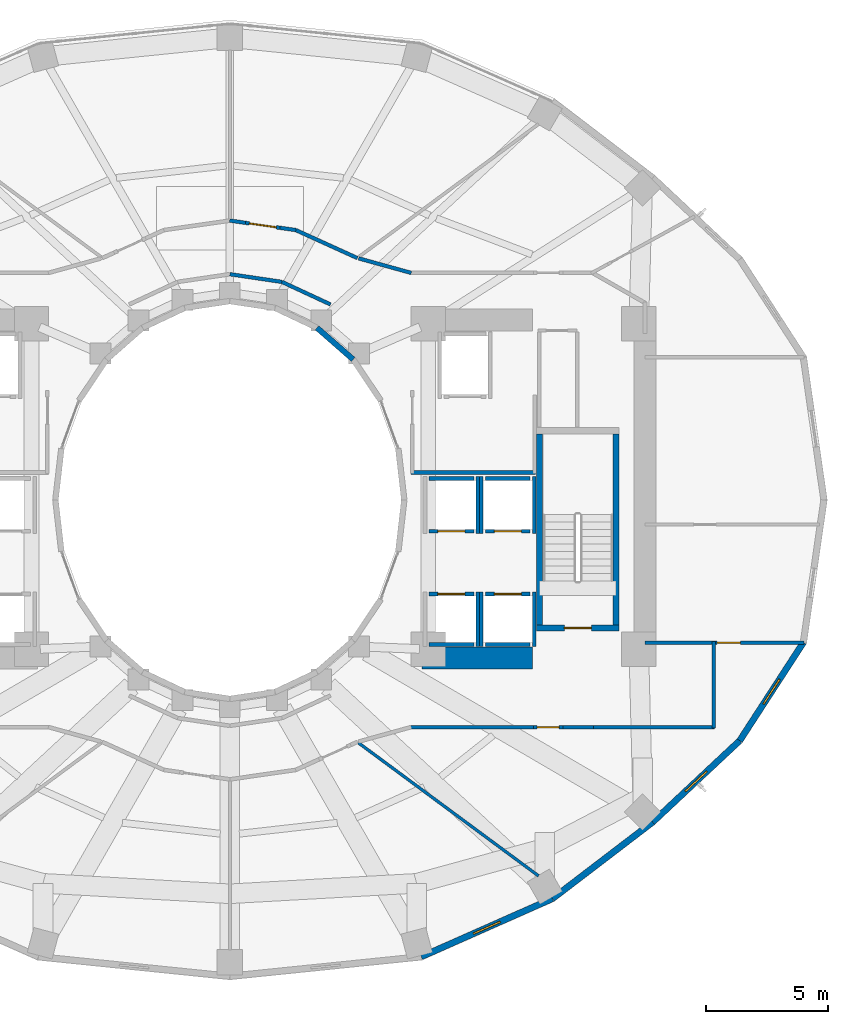
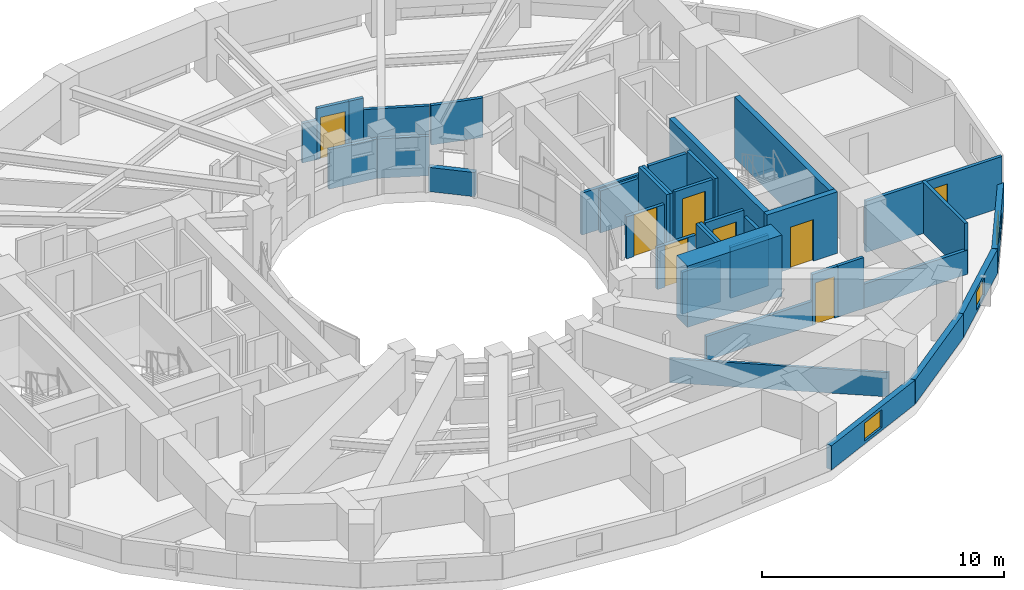
# One storey, part 14 of 19: 38 walls, 8 doors, 3 windows, 11 openings.
"""IFC4 building model written with IfcOpenShell, lengths in metres."""

from ifc_helpers import new_model, si_unit, direction, frame, frame_2d, origin, place, context, subcontext, project, spatial, rectangle, extrude, material, layer, layer_set, type_object, element, fill, save


model = new_model("IFC4")

# Units and contexts
model_context = context("Model", 3, precision=1e-05, world=origin(), true_north=direction((0.0, 1.0)))
body_context = subcontext(model_context, "Body", "Model", "MODEL_VIEW")
ifc_project = project(units=[si_unit("LENGTHUNIT", "METRE"), si_unit("AREAUNIT", "SQUARE_METRE"), si_unit("VOLUMEUNIT", "CUBIC_METRE"), si_unit("PLANEANGLEUNIT", "RADIAN"), si_unit("MASSUNIT", "GRAM", prefix="KILO")], contexts=[model_context])

# Site, building, storey
site_placement = place(None, origin())
site = spatial("IfcSite", under=ifc_project, at=site_placement, CompositionType="ELEMENT")
building_placement = place(site_placement, origin())
building = spatial("IfcBuilding", under=site, at=building_placement, Name="Solvane Sanctuary Tower", CompositionType="ELEMENT")
storey_placement = place(building_placement, frame((0.0, 0.0, 73.199951171875)))
storey = spatial("IfcBuildingStorey", under=building, at=storey_placement, Name="L21", CompositionType="ELEMENT", Elevation=73.199951171875)

# Walls
ifc_material_1 = material(Name="Concrete C70/85", Category="concrete")
ifc_layer_1 = layer(ifc_material_1, 0.89990234375, Name="Concrete C70/85")
ifc_layer_set_1 = layer_set([ifc_layer_1], Name="Concrete C70/85")
wall_type_1 = type_object("IfcWallType", Name="Wall W-CORE-900", PredefinedType="SHEAR", material=ifc_layer_set_1)
wall_1_placement = place(storey_placement, frame((39.85009765625, 16.550048828125, 0.0), z_axis=(0.0, 0.0, 1.0), x_axis=(1.0, 0.0, 0.0)))
element("IfcWall", 1, at=wall_1_placement, inside=storey, type_object=wall_type_1, Name="L21 Core Shear Wall EC-S", PredefinedType="SHEAR", context=body_context, shape_type="SweptSolid", body=[
    extrude(rectangle(XDim=4.5, YDim=0.89990234375, at=frame_2d((2.25, 0.0))), origin(), (0.0, 0.0, 1.0), 3.10009765625),
])
ifc_material_2 = material(Name="Acoustic Gypsum Partition Board")
ifc_layer_2 = layer(ifc_material_2, 0.14990234375, Name="Acoustic Gypsum Partition Board")
ifc_layer_set_2 = layer_set([ifc_layer_2], Name="Acoustic Gypsum Partition Board")
wall_type_2 = type_object("IfcWallType", Name="Wall W-CORR-150", PredefinedType="PARTITIONING", material=ifc_layer_set_2)
wall_2_placement = place(storey_placement, frame((39.39990234375, 24.1201171875, 0.0), z_axis=(0.0, 0.0, 1.0), x_axis=(1.0, 0.0, 0.0)))
element("IfcWall", 2, at=wall_2_placement, inside=storey, type_object=wall_type_2, Name="L21 East Firefighting Lobby South Wall", PredefinedType="PARTITIONING", context=body_context, shape_type="SweptSolid", body=[
    extrude(rectangle(XDim=5.080078125, YDim=0.14990234375, at=frame_2d((2.5400390625, 0.0))), origin(), (0.0, 0.0, 1.0), 2.1201171875),
])
wall_3_placement = place(storey_placement, frame((36.110107421875, 30.98486328125, 0.0), z_axis=(0.0, 0.0, 1.0), x_axis=(-0.906943449489, 0.421252393975, 0.0)))
element("IfcWall", 3, at=wall_3_placement, inside=storey, type_object=wall_type_2, Name="L21 Light-Well Corridor Rim Wall N1", PredefinedType="PARTITIONING", context=body_context, shape_type="SweptSolid", body=[
    extrude(rectangle(XDim=2.18603515625, YDim=0.14990234375, at=frame_2d((1.093017578125, 0.0))), origin(), (0.0, 0.0, 1.0), 1.991943359375),
])
wall_4_placement = place(storey_placement, frame((34.12744140625, 31.90576171875, 0.0), z_axis=(0.0, 0.0, 1.0), x_axis=(-0.989268584896, 0.146108408166, 0.0)))
element("IfcWall", 4, at=wall_4_placement, inside=storey, type_object=wall_type_2, Name="L21 Light-Well Corridor Rim Wall N2", PredefinedType="PARTITIONING", context=body_context, shape_type="SweptSolid", body=[
    extrude(rectangle(XDim=2.150634765625, YDim=0.14990234375, at=frame_2d((1.0751953125, 0.0))), origin(), (0.0, 0.0, 1.0), 1.991943359375),
])

# Wall, opening, door
wall_5_placement = place(storey_placement, frame((48.949951171875, 17.1748046875, 0.0), z_axis=(0.0, 0.0, 1.0), x_axis=(1.0, 0.0, 0.0)))
wall_5 = element("IfcWall", 5, at=wall_5_placement, inside=storey, type_object=wall_type_2, Name="L21 East Shoulder South Wall", PredefinedType="PARTITIONING", context=body_context, shape_type="SweptSolid", body=[
    extrude(rectangle(XDim=6.49169921875, YDim=0.14990234375, at=frame_2d((3.245849609375, 0.0))), origin(), (0.0, 0.0, 1.0), 2.574951171875),
])
opening_1_placement = place(wall_5_placement, frame((2.947509765625, 0.0, 0.0)))
opening_1 = element("IfcOpeningElement", 6, at=opening_1_placement, cuts=wall_5, Name="Opening D-L21-08", PredefinedType="OPENING", context=body_context, shape_type="SweptSolid", body=[
    extrude(rectangle(XDim=0.949951171875, YDim=2.10009765625, at=frame_2d((0.47509765625, 1.050048828125))), frame((0.0, 0.0849609375, 0.0), z_axis=(0.0, -1.0, 0.0), x_axis=(1.0, 0.0, 0.0)), (0.0, 0.0, 1.0), 0.169921875),
])
ifc_material_3 = material(Name="Engineered Tropical Hardwood", Category="wood")
door_type_1 = type_object("IfcDoorType", Name="Door D-ROOM-950", OperationType="NOTDEFINED", PredefinedType="DOOR", material=ifc_material_3)
door_1_placement = place(opening_1_placement, origin())
door_1 = element("IfcDoor", 7, at=door_1_placement, inside=storey, type_object=door_type_1, Name="L21 East Shoulder South Door", OperationType="SINGLE_SWING_LEFT", OverallHeight=2.10009765625, OverallWidth=0.949951171875, PredefinedType="DOOR", context=body_context, shape_type="SweptSolid", body=[
    extrude(rectangle(XDim=0.949951171875, YDim=2.10009765625, at=frame_2d((0.47509765625, 1.050048828125))), frame((0.0, 0.02490234375, 0.0), z_axis=(0.0, -1.0, 0.0), x_axis=(1.0, 0.0, 0.0)), (0.0, 0.0, 1.0), 0.050048828125),
])
fill(opening_1, door_1)

# Walls
wall_6_placement = place(storey_placement, frame((37.258056640625, 32.86669921875, 0.0), z_axis=(0.0, 0.0, 1.0), x_axis=(0.963833843713, -0.266503886865, 0.0)))
element("IfcWall", 8, at=wall_6_placement, inside=storey, type_object=wall_type_2, Name="L21 NE Corner Throat Wall", PredefinedType="PARTITIONING", context=body_context, shape_type="SweptSolid", body=[
    extrude(rectangle(XDim=2.231689453125, YDim=0.14990234375, at=frame_2d((1.11572265625, 0.0))), origin(), (0.0, 0.0, 1.0), 1.991943359375),
])
wall_7_placement = place(storey_placement, frame((51.760009765625, 13.679931640625, 0.0), z_axis=(0.0, 0.0, 1.0), x_axis=(0.0, 1.0, 0.0)))
element("IfcWall", 9, at=wall_7_placement, inside=storey, type_object=wall_type_2, Name="L21 SE Corner Closer 1", PredefinedType="PARTITIONING", context=body_context, shape_type="SweptSolid", body=[
    extrude(rectangle(XDim=3.534912109375, YDim=0.14990234375, at=frame_2d((1.767578125, 0.0))), origin(), (0.0, 0.0, 1.0), 2.574951171875),
])
wall_8_placement = place(storey_placement, frame((39.330078125, 13.719970703125, 0.0), z_axis=(0.0, 0.0, 1.0), x_axis=(1.0, 0.0, 0.0)))
element("IfcWall", 10, at=wall_8_placement, inside=storey, type_object=wall_type_2, Name="L21 SE Corner Corridor Wall", PredefinedType="PARTITIONING", context=body_context, shape_type="SweptSolid", body=[
    extrude(rectangle(XDim=5.059814453125, YDim=0.14990234375, at=frame_2d((2.52978515625, 0.0))), origin(), (0.0, 0.0, 1.0), 1.219970703125),
])

# Wall, opening, door
wall_9_placement = place(storey_placement, frame((44.389892578125, 13.719970703125, 0.0), z_axis=(0.0, 0.0, 1.0), x_axis=(1.0, 0.0, 0.0)))
wall_9 = element("IfcWall", 11, at=wall_9_placement, inside=storey, type_object=wall_type_2, Name="L21 SE Corner Corridor Wall", PredefinedType="PARTITIONING", context=body_context, shape_type="SweptSolid", body=[
    extrude(rectangle(XDim=1.22021484375, YDim=0.14990234375, at=frame_2d((0.610107421875, 0.0))), origin(), (0.0, 0.0, 1.0), 2.574951171875),
])
opening_2_placement = place(wall_9_placement, frame((0.159912109375, 0.0, 0.0)))
opening_2 = element("IfcOpeningElement", 12, at=opening_2_placement, cuts=wall_9, Name="Opening D-L21-15", PredefinedType="OPENING", context=body_context, shape_type="SweptSolid", body=[
    extrude(rectangle(XDim=0.89990234375, YDim=2.10009765625, at=frame_2d((0.449951171875, 1.050048828125))), frame((0.0, 0.0849609375, 0.0), z_axis=(0.0, -1.0, 0.0), x_axis=(1.0, 0.0, 0.0)), (0.0, 0.0, 1.0), 0.169921875),
])
door_type_2 = type_object("IfcDoorType", Name="Door D-WET-900", OperationType="NOTDEFINED", PredefinedType="DOOR", material=ifc_material_3)
door_2_placement = place(opening_2_placement, origin())
door_2 = element("IfcDoor", 13, at=door_2_placement, inside=storey, type_object=door_type_2, Name="L21 SE Corner Salon Door", OperationType="SINGLE_SWING_RIGHT", OverallHeight=2.10009765625, OverallWidth=0.89990234375, PredefinedType="DOOR", context=body_context, shape_type="SweptSolid", body=[
    extrude(rectangle(XDim=0.89990234375, YDim=2.10009765625, at=frame_2d((0.449951171875, 1.050048828125))), frame((0.0, 0.02490234375, 0.0), z_axis=(0.0, -1.0, 0.0), x_axis=(1.0, 0.0, 0.0)), (0.0, 0.0, 1.0), 0.050048828125),
])
fill(opening_2, door_2)

# Walls
wall_10_placement = place(storey_placement, frame((45.610107421875, 13.719970703125, 0.0), z_axis=(0.0, 0.0, 1.0), x_axis=(1.0, 0.0, 0.0)))
element("IfcWall", 14, at=wall_10_placement, inside=storey, type_object=wall_type_2, Name="L21 SE Corner Corridor Wall", PredefinedType="PARTITIONING", context=body_context, shape_type="SweptSolid", body=[
    extrude(rectangle(XDim=1.239990234375, YDim=0.14990234375, at=frame_2d((0.6201171875, 0.0))), origin(), (0.0, 0.0, 1.0), 2.574951171875),
])
wall_11_placement = place(storey_placement, frame((46.75, 13.719970703125, 0.0), z_axis=(0.0, 0.0, 1.0), x_axis=(1.0, 0.0, 0.0)))
element("IfcWall", 15, at=wall_11_placement, inside=storey, type_object=wall_type_2, Name="L21 SE Corner Wing Wall", PredefinedType="PARTITIONING", context=body_context, shape_type="SweptSolid", body=[
    extrude(rectangle(XDim=5.050048828125, YDim=0.14990234375, at=frame_2d((2.52490234375, 0.0))), origin(), (0.0, 0.0, 1.0), 1.219970703125),
])
wall_12_placement = place(storey_placement, frame((37.211181640625, 32.87744140625, 0.0), z_axis=(0.0, 0.0, 1.0), x_axis=(-0.910435980343, 0.413650003865, 0.0)))
element("IfcWall", 16, at=wall_12_placement, inside=storey, type_object=wall_type_2, Name="L21 Sky Promenade Corridor Wall N1", PredefinedType="PARTITIONING", context=body_context, shape_type="SweptSolid", body=[
    extrude(rectangle(XDim=2.766357421875, YDim=0.14990234375, at=frame_2d((1.38330078125, 0.0))), origin(), (0.0, 0.0, 1.0), 1.991943359375),
])
wall_13_placement = place(storey_placement, frame((34.696044921875, 34.020751953125, 0.0), z_axis=(0.0, 0.0, 1.0), x_axis=(-0.989829975321, 0.142255474256, 0.0)))
element("IfcWall", 17, at=wall_13_placement, inside=storey, type_object=wall_type_2, Name="L21 Sky Promenade Corridor Wall N1", PredefinedType="PARTITIONING", context=body_context, shape_type="SweptSolid", body=[
    extrude(rectangle(XDim=0.655517578125, YDim=0.14990234375, at=frame_2d((0.32763671875, 0.0))), origin(), (0.0, 0.0, 1.0), 2.574951171875),
])

# Wall, opening, door
wall_14_placement = place(storey_placement, frame((34.047119140625, 34.114013671875, 0.0), z_axis=(0.0, 0.0, 1.0), x_axis=(-0.98979070052, 0.142528485449, 0.0)))
wall_14 = element("IfcWall", 18, at=wall_14_placement, inside=storey, type_object=wall_type_2, Name="L21 Sky Promenade Corridor Wall N1", PredefinedType="PARTITIONING", context=body_context, shape_type="SweptSolid", body=[
    extrude(rectangle(XDim=1.419921875, YDim=0.14990234375, at=frame_2d((0.7099609375, 0.0))), origin(), (0.0, 0.0, 1.0), 2.574951171875),
])
opening_3_placement = place(wall_14_placement, frame((0.159912109375, 0.0, 0.0)))
opening_3 = element("IfcOpeningElement", 19, at=opening_3_placement, cuts=wall_14, Name="Opening D-L21-16", PredefinedType="OPENING", context=body_context, shape_type="SweptSolid", body=[
    extrude(rectangle(XDim=1.10009765625, YDim=2.10009765625, at=frame_2d((0.550048828125, 1.050048828125))), frame((0.0, 0.0849609375, 0.0), z_axis=(0.0, -1.0, 0.0), x_axis=(1.0, 0.0, 0.0)), (0.0, 0.0, 1.0), 0.169921875),
])
ifc_material_4 = material(Name="Architectural Stainless Steel 316", Category="steel")
door_type_3 = type_object("IfcDoorType", Name="Door D-FFL", OperationType="NOTDEFINED", PredefinedType="DOOR", material=ifc_material_4)
door_3_placement = place(opening_3_placement, origin())
door_3 = element("IfcDoor", 20, at=door_3_placement, inside=storey, type_object=door_type_3, Name="L21 Sky Hall Entrance Door N1", OperationType="SINGLE_SWING_LEFT", OverallHeight=2.10009765625, OverallWidth=1.10009765625, PredefinedType="DOOR", context=body_context, shape_type="SweptSolid", body=[
    extrude(rectangle(XDim=1.10009765625, YDim=2.10009765625, at=frame_2d((0.550048828125, 1.050048828125))), frame((0.0, 0.02490234375, 0.0), z_axis=(0.0, -1.0, 0.0), x_axis=(1.0, 0.0, 0.0)), (0.0, 0.0, 1.0), 0.050048828125),
])
fill(opening_3, door_3)

# Wall
wall_15_placement = place(storey_placement, frame((32.6416015625, 34.31640625, 0.0), z_axis=(0.0, 0.0, 1.0), x_axis=(-0.989777474181, 0.142620305723, 0.0)))
element("IfcWall", 21, at=wall_15_placement, inside=storey, type_object=wall_type_2, Name="L21 Sky Promenade Corridor Wall N1", PredefinedType="PARTITIONING", context=body_context, shape_type="SweptSolid", body=[
    extrude(rectangle(XDim=0.655517578125, YDim=0.14990234375, at=frame_2d((0.32763671875, 0.0))), origin(), (0.0, 0.0, 1.0), 1.991943359375),
])

# Wall, opening, window
ifc_material_5 = material(Name="Precast concrete C40/50", Category="concrete")
ifc_layer_3 = layer(ifc_material_5, 0.260009765625, Name="Precast concrete C40/50")
ifc_layer_set_3 = layer_set([ifc_layer_3], Name="Precast concrete C40/50")
wall_type_3 = type_object("IfcWallType", Name="Wall W-EXT-250", PredefinedType="STANDARD", material=ifc_layer_set_3)
wall_16_placement = place(storey_placement, frame((39.81640625, 4.349365234375, 0.0), z_axis=(0.0, 0.0, 1.0), x_axis=(0.914336605747, 0.404955023911, 0.0)))
wall_16 = element("IfcWall", 22, at=wall_16_placement, inside=storey, type_object=wall_type_3, Name="L21 Ceramic-Printed Facade Wall 19", PredefinedType="STANDARD", context=body_context, shape_type="SweptSolid", body=[
    extrude(rectangle(XDim=5.85888671875, YDim=0.260009765625, at=frame_2d((2.929443359375, 0.0))), origin(), (0.0, 0.0, 1.0), 1.219970703125),
])
opening_4_placement = place(wall_16_placement, frame((2.329345703125, 0.0, 0.14990234375)))
opening_4 = element("IfcOpeningElement", 23, at=opening_4_placement, cuts=wall_16, Name="Opening WN-OPER-1200", PredefinedType="OPENING", context=body_context, shape_type="SweptSolid", body=[
    extrude(rectangle(XDim=1.199951171875, YDim=0.89990234375, at=frame_2d((0.60009765625, 0.449951171875))), frame((0.0, 0.139892578125, 0.0), z_axis=(0.0, -1.0, 0.0), x_axis=(1.0, 0.0, 0.0)), (0.0, 0.0, 1.0), 0.280029296875),
])
ifc_material_6 = material(Name="Dark Ceramic-Fritted Low-E Glass", Category="glass")
window_type = type_object("IfcWindowType", Name="Window WN-OPER-1200", PartitioningType="SINGLE_PANEL", PredefinedType="WINDOW", material=ifc_material_6)
window_1_placement = place(opening_4_placement, origin())
window_1 = element("IfcWindow", 24, at=window_1_placement, inside=storey, type_object=window_type, Name="L21 Operable Facade Window 19", OverallHeight=0.89990234375, OverallWidth=1.199951171875, PartitioningType="SINGLE_PANEL", PredefinedType="WINDOW", context=body_context, shape_type="SweptSolid", body=[
    extrude(rectangle(XDim=1.199951171875, YDim=0.89990234375, at=frame_2d((0.60009765625, 0.449951171875))), frame((0.0, 0.030029296875, 0.0), z_axis=(0.0, -1.0, 0.0), x_axis=(1.0, 0.0, 0.0)), (0.0, 0.0, 1.0), 0.06005859375),
])
fill(opening_4, window_1)

# Wall
wall_17_placement = place(storey_placement, frame((45.17333984375, 6.721923828125, 0.0), z_axis=(0.0, 0.0, 1.0), x_axis=(0.794809810864, 0.606858603427, 0.0)))
element("IfcWall", 25, at=wall_17_placement, inside=storey, type_object=wall_type_3, Name="L21 Ceramic-Printed Facade Wall 20", PredefinedType="STANDARD", context=body_context, shape_type="SweptSolid", body=[
    extrude(rectangle(XDim=5.149169921875, YDim=0.260009765625, at=frame_2d((2.57470703125, 0.0))), origin(), (0.0, 0.0, 1.0), 1.219970703125),
])

# Wall, opening, window
wall_18_placement = place(storey_placement, frame((49.265869140625, 9.8466796875, 0.0), z_axis=(0.0, 0.0, 1.0), x_axis=(0.730162452258, 0.68327358599, 0.0)))
wall_18 = element("IfcWall", 26, at=wall_18_placement, inside=storey, type_object=wall_type_3, Name="L21 Ceramic-Printed Facade Wall 21", PredefinedType="STANDARD", context=body_context, shape_type="SweptSolid", body=[
    extrude(rectangle(XDim=4.868408203125, YDim=0.260009765625, at=frame_2d((2.43408203125, 0.0))), origin(), (0.0, 0.0, 1.0), 1.219970703125),
])
opening_5_placement = place(wall_18_placement, frame((1.834228515625, 0.0, 0.14990234375)))
opening_5 = element("IfcOpeningElement", 27, at=opening_5_placement, cuts=wall_18, Name="Opening WN-OPER-1200", PredefinedType="OPENING", context=body_context, shape_type="SweptSolid", body=[
    extrude(rectangle(XDim=1.199951171875, YDim=0.89990234375, at=frame_2d((0.60009765625, 0.449951171875))), frame((0.0, 0.139892578125, 0.0), z_axis=(0.0, -1.0, 0.0), x_axis=(1.0, 0.0, 0.0)), (0.0, 0.0, 1.0), 0.280029296875),
])
window_2_placement = place(opening_5_placement, origin())
window_2 = element("IfcWindow", 28, at=window_2_placement, inside=storey, type_object=window_type, Name="L21 Operable Facade Window 21", OverallHeight=0.89990234375, OverallWidth=1.199951171875, PartitioningType="SINGLE_PANEL", PredefinedType="WINDOW", context=body_context, shape_type="SweptSolid", body=[
    extrude(rectangle(XDim=1.199951171875, YDim=0.89990234375, at=frame_2d((0.60009765625, 0.449951171875))), frame((0.0, 0.030029296875, 0.0), z_axis=(0.0, -1.0, 0.0), x_axis=(1.0, 0.0, 0.0)), (0.0, 0.0, 1.0), 0.06005859375),
])
fill(opening_5, window_2)

wall_19_placement = place(storey_placement, frame((52.820556640625, 13.173095703125, 0.0), z_axis=(0.0, 0.0, 1.0), x_axis=(0.544388392991, 0.838833283541, 0.0)))
wall_19 = element("IfcWall", 29, at=wall_19_placement, inside=storey, type_object=wall_type_3, Name="L21 Ceramic-Printed Facade Wall 22", PredefinedType="STANDARD", context=body_context, shape_type="SweptSolid", body=[
    extrude(rectangle(XDim=4.7783203125, YDim=0.260009765625, at=frame_2d((2.38916015625, 0.0))), origin(), (0.0, 0.0, 1.0), 1.219970703125),
])
opening_6_placement = place(wall_19_placement, frame((1.7890625, 0.0, 0.14990234375)))
opening_6 = element("IfcOpeningElement", 30, at=opening_6_placement, cuts=wall_19, Name="Opening WN-OPER-1200", PredefinedType="OPENING", context=body_context, shape_type="SweptSolid", body=[
    extrude(rectangle(XDim=1.199951171875, YDim=0.89990234375, at=frame_2d((0.60009765625, 0.449951171875))), frame((0.0, 0.139892578125, 0.0), z_axis=(0.0, -1.0, 0.0), x_axis=(1.0, 0.0, 0.0)), (0.0, 0.0, 1.0), 0.280029296875),
])
window_3_placement = place(opening_6_placement, origin())
window_3 = element("IfcWindow", 31, at=window_3_placement, inside=storey, type_object=window_type, Name="L21 Operable Facade Window 22", OverallHeight=0.89990234375, OverallWidth=1.199951171875, PartitioningType="SINGLE_PANEL", PredefinedType="WINDOW", context=body_context, shape_type="SweptSolid", body=[
    extrude(rectangle(XDim=1.199951171875, YDim=0.89990234375, at=frame_2d((0.60009765625, 0.449951171875))), frame((0.0, 0.030029296875, 0.0), z_axis=(0.0, -1.0, 0.0), x_axis=(1.0, 0.0, 0.0)), (0.0, 0.0, 1.0), 0.06005859375),
])
fill(opening_6, window_3)

# Walls
ifc_layer_4 = layer(ifc_material_5, 0.22998046875, Name="Precast concrete C40/50")
ifc_layer_set_4 = layer_set([ifc_layer_4], Name="Precast concrete C40/50")
wall_type_4 = type_object("IfcWallType", Name="Wall W-EXT-SP220", PredefinedType="STANDARD", material=ifc_layer_set_4)
wall_20_placement = place(storey_placement, frame((37.03466796875, 28.74169921875, 0.0), z_axis=(0.0, 0.0, 1.0), x_axis=(-0.752576694707, 0.658504607869, 0.0)))
element("IfcWall", 32, at=wall_20_placement, inside=storey, type_object=wall_type_4, Name="L21 Central Light-Well Wall 03", PredefinedType="STANDARD", context=body_context, shape_type="SweptSolid", body=[
    extrude(rectangle(XDim=1.95947265625, YDim=0.22998046875, at=frame_2d((0.979736328125, 0.0))), origin(), (0.0, 0.0, 1.0), 1.219970703125),
])
ifc_layer_5 = layer(ifc_material_2, 0.1201171875, Name="Acoustic Gypsum Partition Board")
ifc_layer_set_5 = layer_set([ifc_layer_5], Name="Acoustic Gypsum Partition Board")
wall_type_5 = type_object("IfcWallType", Name="Wall W-MOV-100", PredefinedType="MOVABLE", material=ifc_layer_set_5)
wall_21_placement = place(storey_placement, frame((37.249267578125, 13.0859375, 0.0), z_axis=(0.0, 0.0, 1.0), x_axis=(0.80430981394, -0.594210167533, 0.0)))
element("IfcWall", 33, at=wall_21_placement, inside=storey, type_object=wall_type_5, Name="L21 Sky Hall Radial Partition 300", PredefinedType="MOVABLE", context=body_context, shape_type="SweptSolid", body=[
    extrude(rectangle(XDim=9.146240234375, YDim=0.1201171875, at=frame_2d((4.5732421875, 0.0))), origin(), (0.0, 0.0, 1.0), 1.219970703125),
])

# Wall, opening, door
ifc_material_7 = material(Name="Concrete C50/60", Category="concrete")
ifc_layer_6 = layer(ifc_material_7, 0.14990234375, Name="Concrete C50/60")
ifc_layer_set_6 = layer_set([ifc_layer_6], Name="Concrete C50/60")
wall_type_6 = type_object("IfcWallType", Name="Wall W-SHAFT-150", PredefinedType="SOLIDWALL", material=ifc_layer_set_6)
wall_22_placement = place(storey_placement, frame((40.139892578125, 19.159912109375, 0.0), z_axis=(0.0, 0.0, 1.0), x_axis=(1.0, 0.0, 0.0)))
wall_22 = element("IfcWall", 34, at=wall_22_placement, inside=storey, type_object=wall_type_6, Name="L21 PL-3 Lift Shaft Wall F", PredefinedType="SOLIDWALL", context=body_context, shape_type="SweptSolid", body=[
    extrude(rectangle(XDim=1.820068359375, YDim=0.14990234375, at=frame_2d((0.91015625, 0.0))), origin(), (0.0, 0.0, 1.0), 2.1201171875),
])
opening_7_placement = place(wall_22_placement, frame((0.360107421875, 0.0, 0.0)))
opening_7 = element("IfcOpeningElement", 35, at=opening_7_placement, cuts=wall_22, Name="Opening LD-L21-03", PredefinedType="OPENING", context=body_context, shape_type="SweptSolid", body=[
    extrude(rectangle(XDim=1.10009765625, YDim=2.10009765625, at=frame_2d((0.550048828125, 1.050048828125))), frame((0.0, 0.0849609375, 0.0), z_axis=(0.0, -1.0, 0.0), x_axis=(1.0, 0.0, 0.0)), (0.0, 0.0, 1.0), 0.169921875),
])
door_type_4 = type_object("IfcDoorType", Name="Door LD-PASS-1100", OperationType="NOTDEFINED", PredefinedType="DOOR", material=ifc_material_4)
door_4_placement = place(opening_7_placement, origin())
door_4 = element("IfcDoor", 36, at=door_4_placement, inside=storey, type_object=door_type_4, Name="L21 PL-3 Lift Landing Door", OperationType="DOUBLE_DOOR_SLIDING", OverallHeight=2.10009765625, OverallWidth=1.10009765625, PredefinedType="DOOR", context=body_context, shape_type="SweptSolid", body=[
    extrude(rectangle(XDim=1.10009765625, YDim=2.10009765625, at=frame_2d((0.550048828125, 1.050048828125))), frame((0.0, 0.02490234375, 0.0), z_axis=(0.0, -1.0, 0.0), x_axis=(1.0, 0.0, 0.0)), (0.0, 0.0, 1.0), 0.050048828125),
])
fill(opening_7, door_4)

# Walls
wall_23_placement = place(storey_placement, frame((40.139892578125, 17.10009765625, 0.0), z_axis=(0.0, 0.0, 1.0), x_axis=(1.0, 0.0, 0.0)))
element("IfcWall", 37, at=wall_23_placement, inside=storey, type_object=wall_type_6, Name="L21 PL-3 Lift Shaft Wall B", PredefinedType="SOLIDWALL", context=body_context, shape_type="SweptSolid", body=[
    extrude(rectangle(XDim=1.820068359375, YDim=0.14990234375, at=frame_2d((0.91015625, 0.0))), origin(), (0.0, 0.0, 1.0), 2.1201171875),
])
wall_24_placement = place(storey_placement, frame((42.1298828125, 17.02001953125, 0.0), z_axis=(0.0, 0.0, 1.0), x_axis=(0.0, 1.0, 0.0)))
element("IfcWall", 38, at=wall_24_placement, inside=storey, type_object=wall_type_6, Name="L21 PL-3 Lift Shaft Wall S2", PredefinedType="SOLIDWALL", context=body_context, shape_type="SweptSolid", body=[
    extrude(rectangle(XDim=2.219970703125, YDim=0.14990234375, at=frame_2d((1.10986328125, 0.0))), origin(), (0.0, 0.0, 1.0), 2.574951171875),
])

# Wall, opening, door
wall_25_placement = place(storey_placement, frame((42.43994140625, 19.159912109375, 0.0), z_axis=(0.0, 0.0, 1.0), x_axis=(1.0, 0.0, 0.0)))
wall_25 = element("IfcWall", 39, at=wall_25_placement, inside=storey, type_object=wall_type_6, Name="L21 PL-4 Lift Shaft Wall F", PredefinedType="SOLIDWALL", context=body_context, shape_type="SweptSolid", body=[
    extrude(rectangle(XDim=1.820068359375, YDim=0.14990234375, at=frame_2d((0.91015625, 0.0))), origin(), (0.0, 0.0, 1.0), 2.574951171875),
])
opening_8_placement = place(wall_25_placement, frame((0.360107421875, 0.0, 0.0)))
opening_8 = element("IfcOpeningElement", 40, at=opening_8_placement, cuts=wall_25, Name="Opening LD-L21-04", PredefinedType="OPENING", context=body_context, shape_type="SweptSolid", body=[
    extrude(rectangle(XDim=1.10009765625, YDim=2.10009765625, at=frame_2d((0.550048828125, 1.050048828125))), frame((0.0, 0.0849609375, 0.0), z_axis=(0.0, -1.0, 0.0), x_axis=(1.0, 0.0, 0.0)), (0.0, 0.0, 1.0), 0.169921875),
])
door_5_placement = place(opening_8_placement, origin())
door_5 = element("IfcDoor", 41, at=door_5_placement, inside=storey, type_object=door_type_4, Name="L21 PL-4 Lift Landing Door", OperationType="DOUBLE_DOOR_SLIDING", OverallHeight=2.10009765625, OverallWidth=1.10009765625, PredefinedType="DOOR", context=body_context, shape_type="SweptSolid", body=[
    extrude(rectangle(XDim=1.10009765625, YDim=2.10009765625, at=frame_2d((0.550048828125, 1.050048828125))), frame((0.0, 0.02490234375, 0.0), z_axis=(0.0, -1.0, 0.0), x_axis=(1.0, 0.0, 0.0)), (0.0, 0.0, 1.0), 0.050048828125),
])
fill(opening_8, door_5)

# Walls
wall_26_placement = place(storey_placement, frame((42.43994140625, 17.10009765625, 0.0), z_axis=(0.0, 0.0, 1.0), x_axis=(1.0, 0.0, 0.0)))
element("IfcWall", 42, at=wall_26_placement, inside=storey, type_object=wall_type_6, Name="L21 PL-4 Lift Shaft Wall B", PredefinedType="SOLIDWALL", context=body_context, shape_type="SweptSolid", body=[
    extrude(rectangle(XDim=1.820068359375, YDim=0.14990234375, at=frame_2d((0.91015625, 0.0))), origin(), (0.0, 0.0, 1.0), 2.574951171875),
])
wall_27_placement = place(storey_placement, frame((42.27001953125, 17.02001953125, 0.0), z_axis=(0.0, 0.0, 1.0), x_axis=(0.0, 1.0, 0.0)))
element("IfcWall", 43, at=wall_27_placement, inside=storey, type_object=wall_type_6, Name="L21 PL-4 Lift Shaft Wall S1", PredefinedType="SOLIDWALL", context=body_context, shape_type="SweptSolid", body=[
    extrude(rectangle(XDim=2.219970703125, YDim=0.14990234375, at=frame_2d((1.10986328125, 0.0))), origin(), (0.0, 0.0, 1.0), 2.574951171875),
])
wall_28_placement = place(storey_placement, frame((44.429931640625, 17.02001953125, 0.0), z_axis=(0.0, 0.0, 1.0), x_axis=(0.0, 1.0, 0.0)))
element("IfcWall", 44, at=wall_28_placement, inside=storey, type_object=wall_type_6, Name="L21 PL-4 Lift Shaft Wall S2", PredefinedType="SOLIDWALL", context=body_context, shape_type="SweptSolid", body=[
    extrude(rectangle(XDim=2.219970703125, YDim=0.14990234375, at=frame_2d((1.10986328125, 0.0))), origin(), (0.0, 0.0, 1.0), 2.1201171875),
])

# Wall, opening, door
wall_29_placement = place(storey_placement, frame((42.43994140625, 21.719970703125, 0.0), z_axis=(0.0, 0.0, 1.0), x_axis=(1.0, 0.0, 0.0)))
wall_29 = element("IfcWall", 45, at=wall_29_placement, inside=storey, type_object=wall_type_6, Name="L21 PM-2 Lift Shaft Wall F", PredefinedType="SOLIDWALL", context=body_context, shape_type="SweptSolid", body=[
    extrude(rectangle(XDim=1.820068359375, YDim=0.14990234375, at=frame_2d((0.91015625, 0.0))), origin(), (0.0, 0.0, 1.0), 2.574951171875),
])
opening_9_placement = place(wall_29_placement, frame((0.360107421875, 0.0, 0.0)))
opening_9 = element("IfcOpeningElement", 46, at=opening_9_placement, cuts=wall_29, Name="Opening LD-L21-06", PredefinedType="OPENING", context=body_context, shape_type="SweptSolid", body=[
    extrude(rectangle(XDim=1.10009765625, YDim=2.10009765625, at=frame_2d((0.550048828125, 1.050048828125))), frame((0.0, 0.0849609375, 0.0), z_axis=(0.0, -1.0, 0.0), x_axis=(1.0, 0.0, 0.0)), (0.0, 0.0, 1.0), 0.169921875),
])
door_6_placement = place(opening_9_placement, origin())
door_6 = element("IfcDoor", 47, at=door_6_placement, inside=storey, type_object=door_type_4, Name="L21 PM-2 Lift Landing Door", OperationType="DOUBLE_DOOR_SLIDING", OverallHeight=2.10009765625, OverallWidth=1.10009765625, PredefinedType="DOOR", context=body_context, shape_type="SweptSolid", body=[
    extrude(rectangle(XDim=1.10009765625, YDim=2.10009765625, at=frame_2d((0.550048828125, 1.050048828125))), frame((0.0, 0.02490234375, 0.0), z_axis=(0.0, -1.0, 0.0), x_axis=(1.0, 0.0, 0.0)), (0.0, 0.0, 1.0), 0.050048828125),
])
fill(opening_9, door_6)

# Walls
wall_30_placement = place(storey_placement, frame((42.43994140625, 23.8798828125, 0.0), z_axis=(0.0, 0.0, 1.0), x_axis=(1.0, 0.0, 0.0)))
element("IfcWall", 48, at=wall_30_placement, inside=storey, type_object=wall_type_6, Name="L21 PM-2 Lift Shaft Wall B", PredefinedType="SOLIDWALL", context=body_context, shape_type="SweptSolid", body=[
    extrude(rectangle(XDim=1.820068359375, YDim=0.14990234375, at=frame_2d((0.91015625, 0.0))), origin(), (0.0, 0.0, 1.0), 2.574951171875),
])
for number, where, z_axis, x_axis, name in (
    (49, (42.27001953125, 21.639892578125, 0.0), (0.0, 0.0, 1.0), (0.0, 1.0, 0.0), "L21 PM-2 Lift Shaft Wall S1"),
    (50, (44.429931640625, 21.639892578125, 0.0), (0.0, 0.0, 1.0), (0.0, 1.0, 0.0), "L21 PM-2 Lift Shaft Wall S2"),
):
    element("IfcWall", number, at=place(storey_placement, frame(where, z_axis=z_axis, x_axis=x_axis)), inside=storey, type_object=wall_type_6, Name=name, PredefinedType="SOLIDWALL", context=body_context, shape_type="SweptSolid", body=[
        extrude(rectangle(XDim=2.320068359375, YDim=0.14990234375, at=frame_2d((1.16015625, 0.0))), origin(), (0.0, 0.0, 1.0), 2.574951171875),
    ])

# Wall, opening, door
wall_31_placement = place(storey_placement, frame((40.139892578125, 21.719970703125, 0.0), z_axis=(0.0, 0.0, 1.0), x_axis=(1.0, 0.0, 0.0)))
wall_31 = element("IfcWall", 51, at=wall_31_placement, inside=storey, type_object=wall_type_6, Name="L21 PH-2 Lift Shaft Wall F", PredefinedType="SOLIDWALL", context=body_context, shape_type="SweptSolid", body=[
    extrude(rectangle(XDim=1.820068359375, YDim=0.14990234375, at=frame_2d((0.91015625, 0.0))), origin(), (0.0, 0.0, 1.0), 2.1201171875),
])
opening_10_placement = place(wall_31_placement, frame((0.360107421875, 0.0, 0.0)))
opening_10 = element("IfcOpeningElement", 52, at=opening_10_placement, cuts=wall_31, Name="Opening LD-L21-08", PredefinedType="OPENING", context=body_context, shape_type="SweptSolid", body=[
    extrude(rectangle(XDim=1.10009765625, YDim=2.10009765625, at=frame_2d((0.550048828125, 1.050048828125))), frame((0.0, 0.0849609375, 0.0), z_axis=(0.0, -1.0, 0.0), x_axis=(1.0, 0.0, 0.0)), (0.0, 0.0, 1.0), 0.169921875),
])
door_7_placement = place(opening_10_placement, origin())
door_7 = element("IfcDoor", 53, at=door_7_placement, inside=storey, type_object=door_type_4, Name="L21 PH-2 Lift Landing Door", OperationType="DOUBLE_DOOR_SLIDING", OverallHeight=2.10009765625, OverallWidth=1.10009765625, PredefinedType="DOOR", context=body_context, shape_type="SweptSolid", body=[
    extrude(rectangle(XDim=1.10009765625, YDim=2.10009765625, at=frame_2d((0.550048828125, 1.050048828125))), frame((0.0, 0.02490234375, 0.0), z_axis=(0.0, -1.0, 0.0), x_axis=(1.0, 0.0, 0.0)), (0.0, 0.0, 1.0), 0.050048828125),
])
fill(opening_10, door_7)

# Walls
wall_32_placement = place(storey_placement, frame((40.139892578125, 23.8798828125, 0.0), z_axis=(0.0, 0.0, 1.0), x_axis=(1.0, 0.0, 0.0)))
element("IfcWall", 54, at=wall_32_placement, inside=storey, type_object=wall_type_6, Name="L21 PH-2 Lift Shaft Wall B", PredefinedType="SOLIDWALL", context=body_context, shape_type="SweptSolid", body=[
    extrude(rectangle(XDim=1.820068359375, YDim=0.14990234375, at=frame_2d((0.91015625, 0.0))), origin(), (0.0, 0.0, 1.0), 2.1201171875),
])
wall_33_placement = place(storey_placement, frame((42.1298828125, 21.639892578125, 0.0), z_axis=(0.0, 0.0, 1.0), x_axis=(0.0, 1.0, 0.0)))
element("IfcWall", 55, at=wall_33_placement, inside=storey, type_object=wall_type_6, Name="L21 PH-2 Lift Shaft Wall S2", PredefinedType="SOLIDWALL", context=body_context, shape_type="SweptSolid", body=[
    extrude(rectangle(XDim=2.320068359375, YDim=0.14990234375, at=frame_2d((1.16015625, 0.0))), origin(), (0.0, 0.0, 1.0), 2.574951171875),
])

# Wall, opening, door
ifc_layer_7 = layer(ifc_material_7, 0.25, Name="Concrete C50/60")
ifc_layer_set_7 = layer_set([ifc_layer_7], Name="Concrete C50/60")
wall_type_7 = type_object("IfcWallType", Name="Wall W-SHAFT-250", PredefinedType="SOLIDWALL", material=ifc_layer_set_7)
wall_34_placement = place(storey_placement, frame((44.52490234375, 17.77001953125, 0.0), z_axis=(0.0, 0.0, 1.0), x_axis=(1.0, 0.0, 0.0)))
wall_34 = element("IfcWall", 56, at=wall_34_placement, inside=storey, type_object=wall_type_7, Name="L21 ST-2 Load-Bearing Shaft Wall S", PredefinedType="SOLIDWALL", context=body_context, shape_type="SweptSolid", body=[
    extrude(rectangle(XDim=3.3701171875, YDim=0.25, at=frame_2d((1.68505859375, 0.0))), origin(), (0.0, 0.0, 1.0), 3.10009765625),
])
opening_11_placement = place(wall_34_placement, frame((1.135009765625, 0.0, 0.0)))
opening_11 = element("IfcOpeningElement", 57, at=opening_11_placement, cuts=wall_34, Name="Opening D-L21-02", PredefinedType="OPENING", context=body_context, shape_type="SweptSolid", body=[
    extrude(rectangle(XDim=1.10009765625, YDim=2.10009765625, at=frame_2d((0.550048828125, 1.050048828125))), frame((0.0, 0.135009765625, 0.0), z_axis=(0.0, -1.0, 0.0), x_axis=(1.0, 0.0, 0.0)), (0.0, 0.0, 1.0), 0.27001953125),
])
door_type_5 = type_object("IfcDoorType", Name="Door D-STAIR", OperationType="NOTDEFINED", PredefinedType="DOOR", material=ifc_material_4)
door_8_placement = place(opening_11_placement, origin())
door_8 = element("IfcDoor", 58, at=door_8_placement, inside=storey, type_object=door_type_5, Name="L21 ST-2 Exit Stair Fire Door", OperationType="SINGLE_SWING_RIGHT", OverallHeight=2.10009765625, OverallWidth=1.10009765625, PredefinedType="DOOR", context=body_context, shape_type="SweptSolid", body=[
    extrude(rectangle(XDim=1.10009765625, YDim=2.10009765625, at=frame_2d((0.550048828125, 1.050048828125))), frame((0.0, 0.02490234375, 0.0), z_axis=(0.0, -1.0, 0.0), x_axis=(1.0, 0.0, 0.0)), (0.0, 0.0, 1.0), 0.050048828125),
])
fill(opening_11, door_8)

# Walls
for number, where, z_axis, x_axis, name in (
    (59, (44.64990234375, 17.89501953125, 0.0), (0.0, 0.0, 1.0), (0.0, 1.0, 0.0), "L21 ST-2 Load-Bearing Shaft Wall W"),
    (60, (47.77001953125, 17.89501953125, 0.0), (0.0, 0.0, 1.0), (0.0, 1.0, 0.0), "L21 ST-2 Load-Bearing Shaft Wall E"),
):
    element("IfcWall", number, at=place(storey_placement, frame(where, z_axis=z_axis, x_axis=x_axis)), inside=storey, type_object=wall_type_7, Name=name, PredefinedType="SOLIDWALL", context=body_context, shape_type="SweptSolid", body=[
        extrude(rectangle(XDim=7.81005859375, YDim=0.25, at=frame_2d((3.905029296875, 0.0))), origin(), (0.0, 0.0, 1.0), 3.10009765625),
    ])

save(model, "model.ifc")
